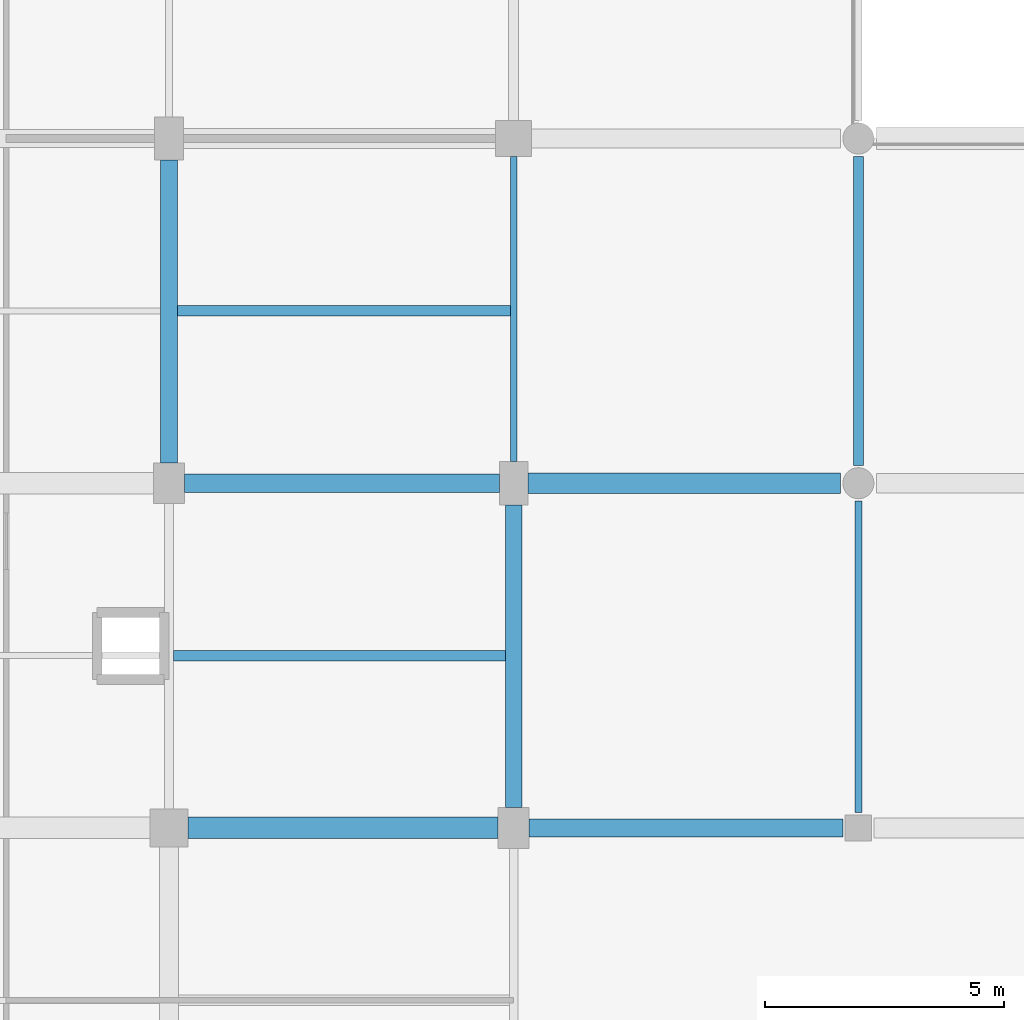
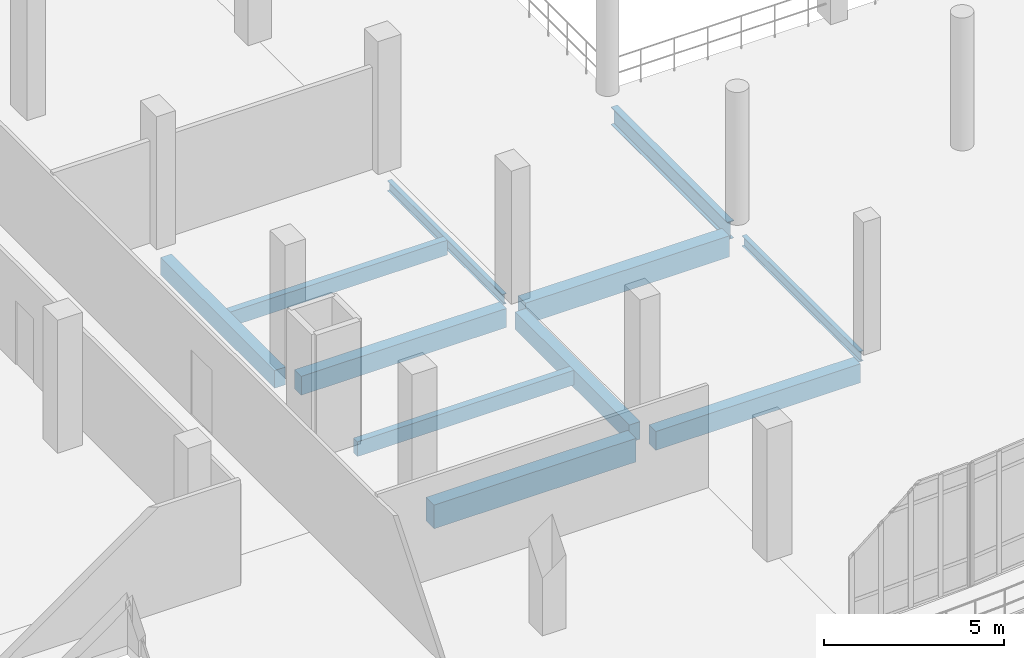
# One storey, part 27 of 134: 11 beams.
"""IFC4 building model written with IfcOpenShell, lengths in metres."""

from ifc_helpers import new_model, si_unit, direction, frame, origin, origin_2d, place, context, subcontext, project, spatial, rectangle, i_section, extrude, material, material_profile, profile_set, type_object, element, save


model = new_model("IFC4")

# Units and contexts
model_context = context("Model", 3, precision=1e-05, world=origin(), true_north=direction((0.0, 1.0)))
body_context = subcontext(model_context, "Body", "Model", "MODEL_VIEW")
ifc_project = project(units=[si_unit("LENGTHUNIT", "METRE"), si_unit("AREAUNIT", "SQUARE_METRE"), si_unit("VOLUMEUNIT", "CUBIC_METRE"), si_unit("PLANEANGLEUNIT", "RADIAN"), si_unit("MASSUNIT", "GRAM", prefix="KILO")], contexts=[model_context])

# Site, building, storey
site_placement = place(None, origin())
site = spatial("IfcSite", under=ifc_project, at=site_placement, CompositionType="ELEMENT")
building_placement = place(site_placement, origin())
building = spatial("IfcBuilding", under=site, at=building_placement, Name="Kalluvel Institute of Natural Sciences", CompositionType="ELEMENT")
storey_placement = place(building_placement, frame((0.0, 0.0, 5.39990234375)))
storey = spatial("IfcBuildingStorey", under=building, at=storey_placement, Name="L01", CompositionType="ELEMENT", Elevation=5.39990234375)

# Beams
ifc_material_1 = material(Name="Steel E350 Grade 350", Category="steel")
ifc_material_profile_1 = material_profile(ifc_material_1, i_section(OverallWidth=0.139892578125, OverallDepth=0.35009765625, WebThickness=0.008056640625, FlangeThickness=0.01416015625, FilletRadius=0.013916015625, at=origin_2d()), Name="ISMB 350")
ifc_profile_set_1 = profile_set([ifc_material_profile_1], Name="Steel E350 Grade 350")
beam_type_1 = type_object("IfcBeamType", Name="BM-ISMB350", PredefinedType="BEAM", material=ifc_profile_set_1)
beam_1_placement = place(storey_placement, frame((35.60009765625, 72.050048828125, -0.474853515625), z_axis=(0.0, 1.0, 0.0), x_axis=(-1.0, 0.0, 0.0)))
element("IfcBeam", 1, at=beam_1_placement, inside=storey, type_object=beam_type_1, Name="L01 girder GIR-L01-NS-X356-Y716", PredefinedType="BEAM", context=body_context, shape_type="SweptSolid", body=[
    extrude(i_section(OverallWidth=0.139892578125, OverallDepth=0.35009765625, WebThickness=0.008056640625, FlangeThickness=0.01416015625, FilletRadius=0.013916015625, at=origin_2d()), origin(), (0.0, 0.0, 1.0), 6.375),
])
beam_2_placement = place(storey_placement, frame((42.800048828125, 64.72509765625, -0.494873046875), z_axis=(0.0, 1.0, 0.0), x_axis=(-1.0, 0.0, 0.0)))
element("IfcBeam", 2, at=beam_2_placement, inside=storey, type_object=beam_type_1, Name="L01 girder GIR-L01-NS-X428-Y644", PredefinedType="BEAM", context=body_context, shape_type="SweptSolid", body=[
    extrude(i_section(OverallWidth=0.139892578125, OverallDepth=0.35009765625, WebThickness=0.008056640625, FlangeThickness=0.01416015625, FilletRadius=0.013916015625, at=origin_2d()), origin(), (0.0, 0.0, 1.0), 6.5),
])
ifc_material_profile_2 = material_profile(ifc_material_1, i_section(OverallWidth=0.2099609375, OverallDepth=0.60009765625, WebThickness=0.011962890625, FlangeThickness=0.020751953125, FilletRadius=0.02001953125, at=origin_2d()), Name="ISMB 600")
ifc_profile_set_2 = profile_set([ifc_material_profile_2], Name="Steel E350 Grade 350")
beam_type_2 = type_object("IfcBeamType", Name="BM-ISMB600", PredefinedType="BEAM", material=ifc_profile_set_2)
beam_3_placement = place(storey_placement, frame((42.800048828125, 71.97509765625, -0.619873046875), z_axis=(0.0, 1.0, 0.0), x_axis=(-1.0, 0.0, 0.0)))
element("IfcBeam", 3, at=beam_3_placement, inside=storey, type_object=beam_type_2, Name="L01 girder GIR-L01-NS-X428-Y716", PredefinedType="BEAM", context=body_context, shape_type="SweptSolid", body=[
    extrude(i_section(OverallWidth=0.2099609375, OverallDepth=0.60009765625, WebThickness=0.011962890625, FlangeThickness=0.020751953125, FilletRadius=0.02001953125, at=origin_2d()), origin(), (0.0, 0.0, 1.0), 6.449951171875),
])
ifc_material_2 = material(Name="Concrete M40", Category="concrete")
ifc_material_profile_3 = material_profile(ifc_material_2, rectangle(XDim=0.35009765625, YDim=0.60009765625, at=origin_2d()), Name="RCB 350x600")
ifc_profile_set_3 = profile_set([ifc_material_profile_3], Name="Concrete M40")
beam_type_3 = type_object("IfcBeamType", Name="BM-RC350x600", PredefinedType="BEAM", material=ifc_profile_set_3)
beam_4_placement = place(storey_placement, frame((28.39990234375, 72.02490234375, -0.599853515625), z_axis=(0.0, 1.0, 0.0), x_axis=(-1.0, 0.0, 0.0)))
element("IfcBeam", 4, at=beam_4_placement, inside=storey, type_object=beam_type_3, Name="L01 girder GIR-L01-NS-X284-Y716", PredefinedType="BEAM", context=body_context, shape_type="SweptSolid", body=[
    extrude(rectangle(XDim=0.35009765625, YDim=0.60009765625, at=origin_2d()), origin(), (0.0, 0.0, 1.0), 6.3251953125),
])
beam_5_placement = place(storey_placement, frame((35.60009765625, 64.824951171875, -0.599853515625), z_axis=(0.0, 1.0, 0.0), x_axis=(-1.0, 0.0, 0.0)))
element("IfcBeam", 5, at=beam_5_placement, inside=storey, type_object=beam_type_3, Name="L01 girder GIR-L01-NS-X356-Y644", PredefinedType="BEAM", context=body_context, shape_type="SweptSolid", body=[
    extrude(rectangle(XDim=0.35009765625, YDim=0.60009765625, at=origin_2d()), origin(), (0.0, 0.0, 1.0), 6.324951171875),
])
ifc_material_profile_4 = material_profile(ifc_material_2, rectangle(XDim=0.3798828125, YDim=0.639892578125, at=origin_2d()), Name="RCB 380x640")
ifc_profile_set_4 = profile_set([ifc_material_profile_4], Name="Concrete M40")
beam_type_4 = type_object("IfcBeamType", Name="BM-RC380x640", PredefinedType="BEAM", material=ifc_profile_set_4)
beam_6_placement = place(storey_placement, frame((35.925048828125, 64.39990234375, -0.639892578125), z_axis=(1.0, 0.0, 0.0), x_axis=(0.0, 1.0, 0.0)))
element("IfcBeam", 6, at=beam_6_placement, inside=storey, type_object=beam_type_4, Name="L01 girder GIR-L01-EW-X356-Y644", PredefinedType="BEAM", context=body_context, shape_type="SweptSolid", body=[
    extrude(rectangle(XDim=0.3798828125, YDim=0.639892578125, at=origin_2d()), origin(), (0.0, 0.0, 1.0), 6.550048828125),
])
beam_7_placement = place(storey_placement, frame((28.72509765625, 71.60009765625, -0.619873046875), z_axis=(1.0, 0.0, 0.0), x_axis=(0.0, 1.0, 0.0)))
element("IfcBeam", 7, at=beam_7_placement, inside=storey, type_object=beam_type_4, Name="L01 girder GIR-L01-EW-X284-Y716", PredefinedType="BEAM", context=body_context, shape_type="SweptSolid", body=[
    extrude(rectangle(XDim=0.3798828125, YDim=0.639892578125, at=origin_2d()), origin(), (0.0, 0.0, 1.0), 6.574951171875),
])
ifc_material_profile_5 = material_profile(ifc_material_2, rectangle(XDim=0.419921875, YDim=0.719970703125, at=origin_2d()), Name="RCB 420x720")
ifc_profile_set_5 = profile_set([ifc_material_profile_5], Name="Concrete M40")
beam_type_5 = type_object("IfcBeamType", Name="BM-RC420x720", PredefinedType="BEAM", material=ifc_profile_set_5)
beam_8_placement = place(storey_placement, frame((35.89990234375, 71.60009765625, -0.679931640625), z_axis=(1.0, 0.0, 0.0), x_axis=(0.0, 1.0, 0.0)))
element("IfcBeam", 8, at=beam_8_placement, inside=storey, type_object=beam_type_5, Name="L01 girder GIR-L01-EW-X356-Y716", PredefinedType="BEAM", context=body_context, shape_type="SweptSolid", body=[
    extrude(rectangle(XDim=0.419921875, YDim=0.719970703125, at=origin_2d()), origin(), (0.0, 0.0, 1.0), 6.525146484375),
])
ifc_material_profile_6 = material_profile(ifc_material_2, rectangle(XDim=0.449951171875, YDim=0.800048828125, at=origin_2d()), Name="RCB 450x800")
ifc_profile_set_6 = profile_set([ifc_material_profile_6], Name="Concrete M40")
beam_type_6 = type_object("IfcBeamType", Name="BM-RC450x800", PredefinedType="BEAM", material=ifc_profile_set_6)
beam_9_placement = place(storey_placement, frame((28.800048828125, 64.39990234375, -0.699951171875), z_axis=(1.0, 0.0, 0.0), x_axis=(0.0, 1.0, 0.0)))
element("IfcBeam", 9, at=beam_9_placement, inside=storey, type_object=beam_type_6, Name="L01 girder GIR-L01-EW-X284-Y644", PredefinedType="BEAM", context=body_context, shape_type="SweptSolid", body=[
    extrude(rectangle(XDim=0.449951171875, YDim=0.800048828125, at=origin_2d()), origin(), (0.0, 0.0, 1.0), 6.474853515625),
])
ifc_material_profile_7 = material_profile(ifc_material_2, rectangle(XDim=0.219970703125, YDim=0.5, at=origin_2d()), Name="WAF 220x500")
ifc_profile_set_7 = profile_set([ifc_material_profile_7], Name="Concrete M40")
beam_type_7 = type_object("IfcBeamType", Name="WJ-220x500", PredefinedType="JOIST", material=ifc_profile_set_7)
beam_10_placement = place(storey_placement, frame((28.489990234375, 68.0, -0.5498046875), z_axis=(1.0, 0.0, 0.0), x_axis=(0.0, 1.0, 0.0)))
element("IfcBeam", 10, at=beam_10_placement, inside=storey, type_object=beam_type_7, Name="L01 floor rib RIB-L01-0646", PredefinedType="JOIST", context=body_context, shape_type="SweptSolid", body=[
    extrude(rectangle(XDim=0.219970703125, YDim=0.5, at=origin_2d()), origin(), (0.0, 0.0, 1.0), 6.93505859375),
])
beam_11_placement = place(storey_placement, frame((28.574951171875, 75.199951171875, -0.5498046875), z_axis=(1.0, 0.0, 0.0), x_axis=(0.0, 1.0, 0.0)))
element("IfcBeam", 11, at=beam_11_placement, inside=storey, type_object=beam_type_7, Name="L01 floor rib RIB-L01-0649", PredefinedType="JOIST", context=body_context, shape_type="SweptSolid", body=[
    extrude(rectangle(XDim=0.219970703125, YDim=0.5, at=origin_2d()), origin(), (0.0, 0.0, 1.0), 6.955078125),
])

save(model, "model.ifc")
